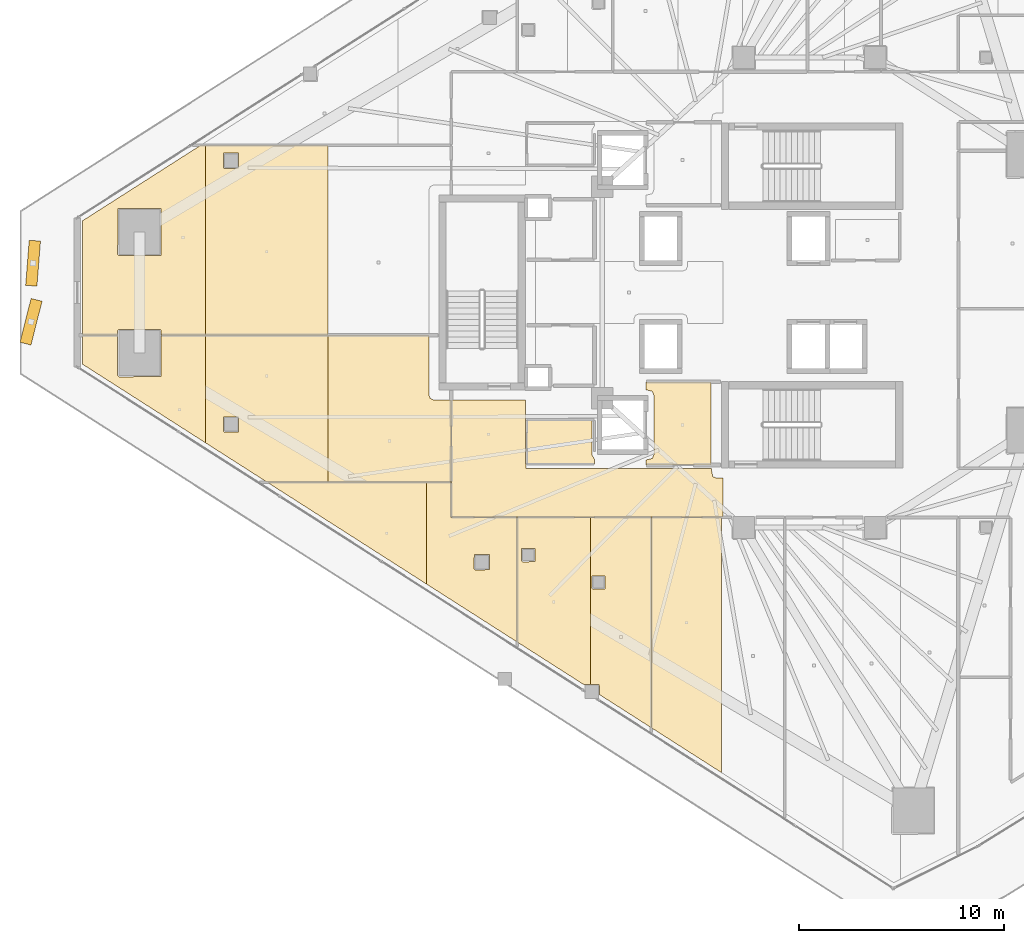
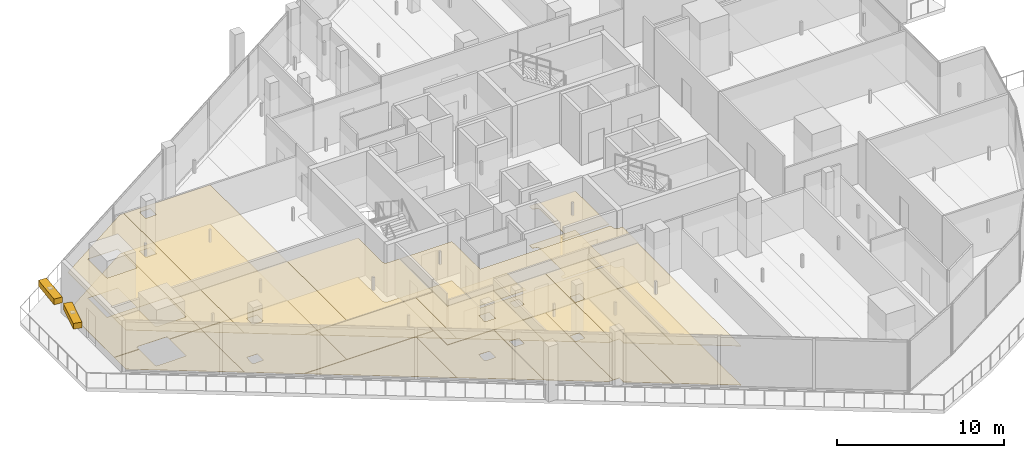
# One storey, part 29 of 35: 25 coverings, 2 shading devices.
"""IFC4 building model written with IfcOpenShell, lengths in metres."""

import ifcopenshell
import ifcopenshell.guid

model = None  # the IFC model being written
_history = None  # IfcOwnerHistory: only IFC2X3 demands one
_inside = {}  # id of a spatial element -> (the spatial element, [elements in it])
_under = {}  # id of a project, library or spatial element -> (it, [spatial elements below it])
_declared = {}  # id of a project -> (the project, [libraries it declares])
_typed = {}  # id of a type object -> (the type object, [elements of that type])
_made_of = {}  # id of a material, layer set ... -> (it, [elements and type objects made of it])


def new_model(schema):
    """Start an empty IFC model of exactly this schema.

    Asked for "IFC4X3", IfcOpenShell would pick the latest addendum, in which some entities
    have other attributes; the version numbers below select the first issue.
    IFC2X3 requires an IfcOwnerHistory on every rooted entity: one is made here for all.
    """
    global model, _history
    if schema == "IFC4X3":
        model = ifcopenshell.file(schema_version=(4, 3, 0, 0))
    else:
        model = ifcopenshell.file(schema=schema)
    _inside.clear()
    _under.clear()
    _declared.clear()
    _typed.clear()
    _made_of.clear()
    _history = None
    if model.schema == "IFC2X3":
        org = make("IfcOrganization", Name="unknown")
        user = make(
            "IfcPersonAndOrganization",
            ThePerson=make("IfcPerson", FamilyName="unknown"),
            TheOrganization=org,
        )
        app = make(
            "IfcApplication",
            ApplicationDeveloper=org,
            Version="unknown",
            ApplicationFullName="unknown",
            ApplicationIdentifier="unknown",
        )
        _history = make(
            "IfcOwnerHistory",
            OwningUser=user,
            OwningApplication=app,
            ChangeAction="ADDED",
            CreationDate=0,
        )
    return model


def make(cls, **values):
    """One entity of the class cls with the attributes given. An attribute that is None is left unset."""
    return model.create_entity(
        cls, **{name: value for name, value in values.items() if value is not None}
    )


def rooted(cls, **values):
    """An entity with a GlobalId (a new one), such as an element, a storey or a relation."""
    return make(cls, GlobalId=ifcopenshell.guid.new(), OwnerHistory=_history, **values)


def si_unit(unit_type, name, prefix=None):
    """IfcSIUnit, for example si_unit("LENGTHUNIT", "METRE", prefix="MILLI")."""
    return make("IfcSIUnit", UnitType=unit_type, Prefix=prefix, Name=name)


def assignment(units):
    """IfcUnitAssignment: the units of a project."""
    return None if units is None else make("IfcUnitAssignment", Units=units)


def point(xyz):
    """IfcCartesianPoint."""
    return None if xyz is None else make("IfcCartesianPoint", Coordinates=xyz)


def direction(xyz):
    """IfcDirection."""
    return None if xyz is None else make("IfcDirection", DirectionRatios=xyz)


def frame(location, z_axis=None, x_axis=None):
    """IfcAxis2Placement3D, a coordinate frame: its origin and axes. An axis left out is left unset."""
    return make(
        "IfcAxis2Placement3D",
        Location=point(location),
        Axis=direction(z_axis),
        RefDirection=direction(x_axis),
    )


def frame_2d(location, x_axis=None):
    """IfcAxis2Placement2D, a coordinate frame in the plane: its origin and x axis."""
    return make(
        "IfcAxis2Placement2D", Location=point(location), RefDirection=direction(x_axis)
    )


def origin():
    """The frame at (0, 0, 0) with its axes left unset."""
    return frame((0.0, 0.0, 0.0))


def origin_2d():
    """The frame at (0, 0) in the plane with its x axis left unset."""
    return frame_2d((0.0, 0.0))


def place(relative_to, where):
    """IfcLocalPlacement: puts the frame where relative to a parent placement (None: the world)."""
    return make(
        "IfcLocalPlacement", PlacementRelTo=relative_to, RelativePlacement=where
    )


def context(
    kind, dimensions, precision=None, world=None, true_north=None, identifier=None
):
    """IfcGeometricRepresentationContext, for example the 3D "Model" context."""
    return make(
        "IfcGeometricRepresentationContext",
        ContextIdentifier=identifier,
        ContextType=kind,
        CoordinateSpaceDimension=dimensions,
        Precision=precision,
        WorldCoordinateSystem=world,
        TrueNorth=true_north,
    )


def subcontext(parent, identifier, kind, view, scale=None):
    """IfcGeometricRepresentationSubContext, for example "Body" below "Model"."""
    return make(
        "IfcGeometricRepresentationSubContext",
        ContextIdentifier=identifier,
        ContextType=kind,
        ParentContext=parent,
        TargetScale=scale,
        TargetView=view,
    )


def project(units=None, contexts=None):
    """IfcProject with its units and contexts."""
    return rooted(
        "IfcProject",
        Name="project",
        RepresentationContexts=contexts,
        UnitsInContext=assignment(units),
    )


def spatial(cls, under=None, at=None, **own):
    """A site, building, storey or space (cls), placed at a placement, below another one or the project."""
    s = rooted(cls, ObjectPlacement=at, **own)
    if under is not None:
        _under.setdefault(under.id(), (under, []))[1].append(s)
    return s


def polyline(points):
    """IfcPolyline through the points."""
    return make("IfcPolyline", Points=[point(p) for p in points])


def profile(cls, at=None, kind="AREA", **sizes):
    """A parametric profile (cls). Its sizes go by their IFC names, for example OverallWidth=200.0."""
    return make(cls, ProfileType=kind, Position=at, **sizes)


def rectangle(**sizes):
    """IfcRectangleProfileDef."""
    return profile("IfcRectangleProfileDef", **sizes)


def outline(outer, holes=None, kind="AREA"):
    """IfcArbitraryClosedProfileDef: a profile drawn as a closed curve; with holes, ...WithVoids."""
    if holes is None:
        return make("IfcArbitraryClosedProfileDef", ProfileType=kind, OuterCurve=outer)
    return make(
        "IfcArbitraryProfileDefWithVoids",
        ProfileType=kind,
        OuterCurve=outer,
        InnerCurves=holes,
    )


def extrude(swept, where, along, depth):
    """IfcExtrudedAreaSolid: the profile swept, set in the frame where, extruded along a direction by depth."""
    return make(
        "IfcExtrudedAreaSolid",
        SweptArea=swept,
        Position=where,
        ExtrudedDirection=direction(along),
        Depth=depth,
    )


def shape(context_of_items, identifier, shape_type, items):
    """IfcShapeRepresentation: the items that make up one representation, for example the "Body"."""
    return make(
        "IfcShapeRepresentation",
        ContextOfItems=context_of_items,
        RepresentationIdentifier=identifier,
        RepresentationType=shape_type,
        Items=items,
    )


def material(Name=None, Category=None):
    """IfcMaterial."""
    return make("IfcMaterial", Name=Name, Category=Category)


def layer(
    of_material, thickness, ventilated=None, Name=None, Category=None, Priority=None
):
    """IfcMaterialLayer: one layer of a wall or slab, of a material (None: an air gap)."""
    return make(
        "IfcMaterialLayer",
        Material=of_material,
        LayerThickness=thickness,
        IsVentilated=ventilated,
        Name=Name,
        Category=Category,
        Priority=Priority,
    )


def layer_set(layers, Name=None):
    """IfcMaterialLayerSet."""
    return make("IfcMaterialLayerSet", MaterialLayers=layers, LayerSetName=Name)


def made_of(thing, what):
    """Note that an element or type object is made of a material, layer set ...; save() writes the relation."""
    if what is not None:
        _made_of.setdefault(what.id(), (what, []))[1].append(thing)
    return thing


def type_object(cls, material=None, **own):
    """A type object (cls), such as IfcWallType, which elements share."""
    return made_of(rooted(cls, **own), material)


def element(
    cls,
    number,
    at=None,
    inside=None,
    cuts=None,
    type_object=None,
    material=None,
    context=None,
    identifier="Body",
    shape_type=None,
    held_by="IfcProductDefinitionShape",
    body=None,
    shapes=None,
    **own,
):
    """One element of the class cls, such as IfcWall. Its Tag is "e" and its number.

    at: its placement. inside: the storey or other place that contains it. cuts: it is an
    opening in that element (IfcRelVoidsElement). A single representation is given by context,
    identifier, shape_type and body (its items); several are given by shapes. held_by: the class
    of the entity that holds the representations. save() writes the other relations.
    """
    e = rooted(cls, Tag="e%d" % number, ObjectPlacement=at, **own)
    if body is not None:
        shapes = [shape(context, identifier, shape_type, body)]
    if shapes is not None:
        e.Representation = make(held_by, Representations=shapes)
    if inside is not None:
        _inside.setdefault(inside.id(), (inside, []))[1].append(e)
    if cuts is not None:
        rooted(
            "IfcRelVoidsElement", RelatingBuildingElement=cuts, RelatedOpeningElement=e
        )
    if type_object is not None:
        _typed.setdefault(type_object.id(), (type_object, []))[1].append(e)
    return made_of(e, material)


def aggregate(whole, parts):
    """IfcRelAggregates: a whole, such as a stair, and the parts it consists of."""
    return rooted("IfcRelAggregates", RelatingObject=whole, RelatedObjects=parts)


def save(model, path):
    """Write the relations noted so far, then the file.

    IfcRelAggregates (storeys below a building ...), IfcRelContainedInSpatialStructure (elements
    in a storey), IfcRelDefinesByType, IfcRelAssociatesMaterial and IfcRelDeclares: one each for
    every whole, place, type object, material and project.
    """
    for whole, parts in _under.values():
        aggregate(whole, parts)
    for where, things in _inside.values():
        rooted(
            "IfcRelContainedInSpatialStructure",
            RelatedElements=things,
            RelatingStructure=where,
        )
    for kind, things in _typed.values():
        rooted("IfcRelDefinesByType", RelatedObjects=things, RelatingType=kind)
    for what, things in _made_of.values():
        rooted("IfcRelAssociatesMaterial", RelatedObjects=things, RelatingMaterial=what)
    for by, libraries in _declared.values():
        rooted("IfcRelDeclares", RelatingContext=by, RelatedDefinitions=libraries)
    model.write(path)


model = new_model("IFC4")

# Units and contexts
model_context = context("Model", 3, precision=1e-05, world=origin(), true_north=direction((0.0, 1.0)))
body_context = subcontext(model_context, "Body", "Model", "MODEL_VIEW")
ifc_project = project(units=[si_unit("LENGTHUNIT", "METRE"), si_unit("AREAUNIT", "SQUARE_METRE"), si_unit("VOLUMEUNIT", "CUBIC_METRE"), si_unit("PLANEANGLEUNIT", "RADIAN"), si_unit("MASSUNIT", "GRAM", prefix="KILO")], contexts=[model_context])

# Site, building, storey
site_placement = place(None, origin())
site = spatial("IfcSite", under=ifc_project, at=site_placement, CompositionType="ELEMENT")
building_placement = place(site_placement, origin())
building = spatial("IfcBuilding", under=site, at=building_placement, Name="Qorvath Tower", CompositionType="ELEMENT")
storey_placement = place(building_placement, frame((0.0, 0.0, 166.5)))
storey = spatial("IfcBuildingStorey", under=building, at=storey_placement, Name="L38", CompositionType="ELEMENT", Elevation=166.5)

# Coverings
ifc_material_1 = material(Name="Acoustic mineral fibre ceiling tile", Category="gypsum")
ifc_layer_1 = layer(ifc_material_1, 0.030029296875)
ifc_layer_set_1 = layer_set([ifc_layer_1], Name="COV-CEIL")
covering_type_1 = type_object("IfcCoveringType", Name="COV-CEIL", PredefinedType="CEILING", material=ifc_layer_set_1)
covering_1_placement = place(storey_placement, frame((0.0, 0.0, 2.85009765625)))
element("IfcCovering", 1, at=covering_1_placement, inside=storey, type_object=covering_type_1, Name="L38 Suspended Acoustic Ceiling 002", PredefinedType="CEILING", context=body_context, shape_type="SweptSolid", body=[
    extrude(outline(polyline([(-25.18994140625, -8.39501953125), (-25.18994140625, -4.35498046875), (-28.375, -4.35498046875), (-28.375, -4.739990234375), (-28.063232421875, -4.813232421875), (-27.989990234375, -4.989990234375), (-27.989990234375, -7.909912109375), (-28.063232421875, -8.086669921875), (-28.375, -8.159912109375), (-28.375, -8.39501953125), (-25.18994140625, -8.39501953125)])), origin(), (0.0, 0.0, 1.0), 0.030029296875),
])
covering_2_placement = place(storey_placement, frame((0.0, 0.0, 2.85009765625)))
element("IfcCovering", 2, at=covering_2_placement, inside=storey, type_object=covering_type_1, Name="L38 Suspended Acoustic Ceiling 008", PredefinedType="CEILING", context=body_context, shape_type="SweptSolid", body=[
    extrude(outline(polyline([(-34.22509765625, -8.580078125), (-34.251220703125, -5.239990234375), (-37.844970703125, -5.239990234375), (-37.844970703125, -10.945068359375), (-24.621826171875, -10.945068359375), (-24.621826171875, -9.0400390625), (-24.93994140625, -9.0400390625), (-25.11669921875, -8.966796875), (-25.18994140625, -8.57421875), (-34.22509765625, -8.580078125)])), origin(), (0.0, 0.0, 1.0), 0.030029296875),
])
covering_3_placement = place(storey_placement, frame((0.0, 0.0, 2.85009765625)))
element("IfcCovering", 3, at=covering_3_placement, inside=storey, type_object=covering_type_1, Name="L38 Suspended Acoustic Ceiling 021", PredefinedType="CEILING", context=body_context, shape_type="SweptSolid", body=[
    extrude(outline(polyline([(-34.64501953125, -10.962890625), (-34.64501953125, -17.0283203125), (-31.39013671875, -19.108642578125), (-31.076904296875, -19.10205078125), (-31.076904296875, -10.962890625), (-34.64501953125, -10.962890625)]), holes=[polyline([(-34.439208984375, -13.0673828125), (-34.421630859375, -12.47509765625), (-33.786865234375, -12.47509765625), (-33.786865234375, -13.10986328125), (-34.379150390625, -13.12744140625), (-34.439208984375, -13.0673828125)])]), origin(), (0.0, 0.0, 1.0), 0.030029296875),
])
covering_4_placement = place(storey_placement, frame((0.0, 0.0, 2.85009765625)))
element("IfcCovering", 4, at=covering_4_placement, inside=storey, type_object=covering_type_1, Name="L38 Suspended Acoustic Ceiling 022", PredefinedType="CEILING", context=body_context, shape_type="SweptSolid", body=[
    extrude(outline(polyline([(-31.076904296875, -10.962890625), (-31.076904296875, -19.10205078125), (-30.648681640625, -19.093017578125), (-30.631103515625, -19.59375), (-28.106689453125, -21.20703125), (-28.106689453125, -10.962890625), (-31.076904296875, -10.962890625)]), holes=[polyline([(-31.01220703125, -14.3994140625), (-30.99462890625, -13.806884765625), (-30.35986328125, -13.806884765625), (-30.35986328125, -14.441650390625), (-30.9521484375, -14.459228515625), (-31.01220703125, -14.3994140625)])]), origin(), (0.0, 0.0, 1.0), 0.030029296875),
])
covering_5_placement = place(storey_placement, frame((0.0, 0.0, 2.85009765625)))
element("IfcCovering", 5, at=covering_5_placement, inside=storey, type_object=covering_type_1, Name="L38 Suspended Acoustic Ceiling 023", PredefinedType="CEILING", context=body_context, shape_type="SweptSolid", body=[
    extrude(outline(polyline([(-24.685546875, -23.393798828125), (-24.685546875, -10.962890625), (-28.0888671875, -10.962890625), (-28.0888671875, -21.218505859375), (-24.685546875, -23.393798828125)])), origin(), (0.0, 0.0, 1.0), 0.030029296875),
])
covering_6_placement = place(storey_placement, frame((0.0, 0.0, 2.85009765625)))
element("IfcCovering", 6, at=covering_6_placement, inside=storey, type_object=covering_type_1, Name="L38 Suspended Acoustic Ceiling 042", PredefinedType="CEILING", context=body_context, shape_type="SweptSolid", body=[
    extrude(outline(polyline([(-39.0673828125, -14.201904296875), (-39.0673828125, -9.25537109375), (-46.806640625, -9.25537109375), (-39.0673828125, -14.201904296875)])), origin(), (0.0, 0.0, 1.0), 0.030029296875),
])
covering_7_placement = place(storey_placement, frame((0.0, 0.0, 2.85009765625)))
element("IfcCovering", 7, at=covering_7_placement, inside=storey, type_object=covering_type_1, Name="L38 Suspended Acoustic Ceiling 043", PredefinedType="CEILING", context=body_context, shape_type="SweptSolid", body=[
    extrude(outline(polyline([(-37.863037109375, -10.9580078125), (-37.863037109375, -9.25537109375), (-39.0673828125, -9.25537109375), (-39.0673828125, -14.201904296875), (-34.6630859375, -17.016845703125), (-34.6630859375, -10.962890625), (-37.863037109375, -10.9580078125)]), holes=[polyline([(-36.749755859375, -13.46044921875), (-36.732177734375, -12.76806640625), (-35.997314453125, -12.76806640625), (-35.997314453125, -13.5029296875), (-36.689697265625, -13.5205078125), (-36.749755859375, -13.46044921875)])]), origin(), (0.0, 0.0, 1.0), 0.030029296875),
])
covering_8_placement = place(storey_placement, frame((0.0, 0.0, 2.85009765625)))
element("IfcCovering", 8, at=covering_8_placement, inside=storey, type_object=covering_type_1, Name="L38 Suspended Acoustic Ceiling 044", PredefinedType="CEILING", context=body_context, shape_type="SweptSolid", body=[
    extrude(outline(polyline([(-54.109375, -2.0849609375), (-55.826171875, -2.0849609375), (-55.826171875, -3.490966796875), (-49.83837890625, -7.31787109375), (-49.83837890625, -2.0849609375), (-51.989501953125, -2.0849609375), (-52.007080078125, -4.09326171875), (-54.04931640625, -4.11083984375), (-54.109375, -4.05078125), (-54.109375, -2.0849609375)])), origin(), (0.0, 0.0, 1.0), 0.030029296875),
])
covering_9_placement = place(storey_placement, frame((0.0, 0.0, 2.85009765625)))
element("IfcCovering", 9, at=covering_9_placement, inside=storey, type_object=covering_type_1, Name="L38 Suspended Acoustic Ceiling 045", PredefinedType="CEILING", context=body_context, shape_type="SweptSolid", body=[
    extrude(outline(polyline([(-49.83837890625, -2.0849609375), (-49.83837890625, -7.31787109375), (-46.8349609375, -9.2373046875), (-43.8505859375, -9.2373046875), (-43.8505859375, -2.0849609375), (-49.83837890625, -2.0849609375)]), holes=[polyline([(-48.96337890625, -6.74951171875), (-48.94580078125, -6.05712890625), (-48.2109375, -6.05712890625), (-48.2109375, -6.7919921875), (-48.9033203125, -6.8095703125), (-48.96337890625, -6.74951171875)])]), origin(), (0.0, 0.0, 1.0), 0.030029296875),
])
covering_10_placement = place(storey_placement, frame((0.0, 0.0, 2.85009765625)))
element("IfcCovering", 10, at=covering_10_placement, inside=storey, type_object=covering_type_1, Name="L38 Suspended Acoustic Ceiling 046", PredefinedType="CEILING", context=body_context, shape_type="SweptSolid", body=[
    extrude(outline(polyline([(-43.8505859375, -2.0849609375), (-43.8505859375, -9.2373046875), (-37.863037109375, -9.2373046875), (-37.863037109375, -5.239990234375), (-38.699951171875, -5.239990234375), (-38.876708984375, -5.166748046875), (-38.949951171875, -4.989990234375), (-38.949951171875, -2.0849609375), (-43.8505859375, -2.0849609375)])), origin(), (0.0, 0.0, 1.0), 0.030029296875),
])
covering_11_placement = place(storey_placement, frame((0.0, 0.0, 2.85009765625)))
element("IfcCovering", 11, at=covering_11_placement, inside=storey, type_object=covering_type_1, Name="L38 Suspended Acoustic Ceiling 047", PredefinedType="CEILING", context=body_context, shape_type="SweptSolid", body=[
    extrude(outline(polyline([(-55.826171875, 3.490966796875), (-55.826171875, -2.06689453125), (-54.109375, -2.06689453125), (-54.109375, -1.850830078125), (-54.04931640625, -1.790771484375), (-52.04931640625, -1.790771484375), (-51.989501953125, -1.850830078125), (-51.989501953125, -2.06689453125), (-49.83837890625, -2.06689453125), (-49.83837890625, 7.165283203125), (-50.076904296875, 7.165283203125), (-55.826171875, 3.490966796875)]), holes=[polyline([(-54.109375, 1.850830078125), (-54.091796875, 4.09326171875), (-52.007080078125, 4.09326171875), (-52.007080078125, 1.808349609375), (-54.04931640625, 1.790771484375), (-54.109375, 1.850830078125)])]), origin(), (0.0, 0.0, 1.0), 0.030029296875),
])
covering_12_placement = place(storey_placement, frame((0.0, 0.0, 2.85009765625)))
element("IfcCovering", 12, at=covering_12_placement, inside=storey, type_object=covering_type_1, Name="L38 Suspended Acoustic Ceiling 048", PredefinedType="CEILING", context=body_context, shape_type="SweptSolid", body=[
    extrude(outline(polyline([(-49.83837890625, 7.165283203125), (-49.83837890625, -2.06689453125), (-43.8505859375, -2.06689453125), (-43.8505859375, 7.165283203125), (-49.83837890625, 7.165283203125)]), holes=[polyline([(-48.96337890625, 6.099609375), (-48.94580078125, 6.7919921875), (-48.2109375, 6.7919921875), (-48.2109375, 6.05712890625), (-48.9033203125, 6.03955078125), (-48.96337890625, 6.099609375)])]), origin(), (0.0, 0.0, 1.0), 0.030029296875),
])
ifc_material_2 = material(Name="Low-VOC modular carpet tile", Category="textile")
ifc_layer_2 = layer(ifc_material_2, 0.014892578125)
ifc_layer_set_2 = layer_set([ifc_layer_2], Name="COV-FLOOR-CPT")
covering_type_2 = type_object("IfcCoveringType", Name="COV-FLOOR-CPT", PredefinedType="FLOORING", material=ifc_layer_set_2)
covering_13_placement = place(storey_placement, origin())
element("IfcCovering", 13, at=covering_13_placement, inside=storey, type_object=covering_type_2, Name="L38 Floor Finish 021", PredefinedType="FLOORING", context=body_context, shape_type="SweptSolid", body=[
    extrude(outline(polyline([(-34.64501953125, -10.962890625), (-34.64501953125, -17.0283203125), (-31.39013671875, -19.108642578125), (-31.076904296875, -19.10205078125), (-31.076904296875, -10.962890625), (-34.64501953125, -10.962890625)]), holes=[polyline([(-34.439208984375, -13.0673828125), (-34.421630859375, -12.47509765625), (-33.786865234375, -12.47509765625), (-33.786865234375, -13.10986328125), (-34.379150390625, -13.12744140625), (-34.439208984375, -13.0673828125)])]), origin(), (0.0, 0.0, 1.0), 0.014892578125),
])
covering_14_placement = place(storey_placement, origin())
element("IfcCovering", 14, at=covering_14_placement, inside=storey, type_object=covering_type_2, Name="L38 Floor Finish 022", PredefinedType="FLOORING", context=body_context, shape_type="SweptSolid", body=[
    extrude(outline(polyline([(-31.076904296875, -10.962890625), (-31.076904296875, -19.10205078125), (-30.648681640625, -19.093017578125), (-30.631103515625, -19.59375), (-28.106689453125, -21.20703125), (-28.106689453125, -10.962890625), (-31.076904296875, -10.962890625)]), holes=[polyline([(-31.01220703125, -14.3994140625), (-30.99462890625, -13.806884765625), (-30.35986328125, -13.806884765625), (-30.35986328125, -14.441650390625), (-30.9521484375, -14.459228515625), (-31.01220703125, -14.3994140625)])]), origin(), (0.0, 0.0, 1.0), 0.014892578125),
])
covering_15_placement = place(storey_placement, origin())
element("IfcCovering", 15, at=covering_15_placement, inside=storey, type_object=covering_type_2, Name="L38 Floor Finish 023", PredefinedType="FLOORING", context=body_context, shape_type="SweptSolid", body=[
    extrude(outline(polyline([(-24.685546875, -23.393798828125), (-24.685546875, -10.962890625), (-28.0888671875, -10.962890625), (-28.0888671875, -21.218505859375), (-24.685546875, -23.393798828125)])), origin(), (0.0, 0.0, 1.0), 0.014892578125),
])
covering_16_placement = place(storey_placement, origin())
element("IfcCovering", 16, at=covering_16_placement, inside=storey, type_object=covering_type_2, Name="L38 Floor Finish 042", PredefinedType="FLOORING", context=body_context, shape_type="SweptSolid", body=[
    extrude(outline(polyline([(-39.0673828125, -14.201904296875), (-39.0673828125, -9.25537109375), (-46.806640625, -9.25537109375), (-39.0673828125, -14.201904296875)])), origin(), (0.0, 0.0, 1.0), 0.014892578125),
])
covering_17_placement = place(storey_placement, origin())
element("IfcCovering", 17, at=covering_17_placement, inside=storey, type_object=covering_type_2, Name="L38 Floor Finish 043", PredefinedType="FLOORING", context=body_context, shape_type="SweptSolid", body=[
    extrude(outline(polyline([(-37.863037109375, -10.9580078125), (-37.863037109375, -9.25537109375), (-39.0673828125, -9.25537109375), (-39.0673828125, -14.201904296875), (-34.6630859375, -17.016845703125), (-34.6630859375, -10.962890625), (-37.863037109375, -10.9580078125)]), holes=[polyline([(-36.749755859375, -13.46044921875), (-36.732177734375, -12.76806640625), (-35.997314453125, -12.76806640625), (-35.997314453125, -13.5029296875), (-36.689697265625, -13.5205078125), (-36.749755859375, -13.46044921875)])]), origin(), (0.0, 0.0, 1.0), 0.014892578125),
])
covering_18_placement = place(storey_placement, origin())
element("IfcCovering", 18, at=covering_18_placement, inside=storey, type_object=covering_type_2, Name="L38 Floor Finish 044", PredefinedType="FLOORING", context=body_context, shape_type="SweptSolid", body=[
    extrude(outline(polyline([(-54.109375, -2.0849609375), (-55.826171875, -2.0849609375), (-55.826171875, -3.490966796875), (-49.83837890625, -7.31787109375), (-49.83837890625, -2.0849609375), (-51.989501953125, -2.0849609375), (-52.007080078125, -4.09326171875), (-54.04931640625, -4.11083984375), (-54.109375, -4.05078125), (-54.109375, -2.0849609375)])), origin(), (0.0, 0.0, 1.0), 0.014892578125),
])
covering_19_placement = place(storey_placement, origin())
element("IfcCovering", 19, at=covering_19_placement, inside=storey, type_object=covering_type_2, Name="L38 Floor Finish 045", PredefinedType="FLOORING", context=body_context, shape_type="SweptSolid", body=[
    extrude(outline(polyline([(-49.83837890625, -2.0849609375), (-49.83837890625, -7.31787109375), (-46.8349609375, -9.2373046875), (-43.8505859375, -9.2373046875), (-43.8505859375, -2.0849609375), (-49.83837890625, -2.0849609375)]), holes=[polyline([(-48.96337890625, -6.74951171875), (-48.94580078125, -6.05712890625), (-48.2109375, -6.05712890625), (-48.2109375, -6.7919921875), (-48.9033203125, -6.8095703125), (-48.96337890625, -6.74951171875)])]), origin(), (0.0, 0.0, 1.0), 0.014892578125),
])
covering_20_placement = place(storey_placement, origin())
element("IfcCovering", 20, at=covering_20_placement, inside=storey, type_object=covering_type_2, Name="L38 Floor Finish 046", PredefinedType="FLOORING", context=body_context, shape_type="SweptSolid", body=[
    extrude(outline(polyline([(-43.8505859375, -2.0849609375), (-43.8505859375, -9.2373046875), (-37.863037109375, -9.2373046875), (-37.863037109375, -5.239990234375), (-38.699951171875, -5.239990234375), (-38.876708984375, -5.166748046875), (-38.949951171875, -4.989990234375), (-38.949951171875, -2.0849609375), (-43.8505859375, -2.0849609375)])), origin(), (0.0, 0.0, 1.0), 0.014892578125),
])
covering_21_placement = place(storey_placement, origin())
element("IfcCovering", 21, at=covering_21_placement, inside=storey, type_object=covering_type_2, Name="L38 Floor Finish 047", PredefinedType="FLOORING", context=body_context, shape_type="SweptSolid", body=[
    extrude(outline(polyline([(-55.826171875, 3.490966796875), (-55.826171875, -2.06689453125), (-54.109375, -2.06689453125), (-54.109375, -1.850830078125), (-54.04931640625, -1.790771484375), (-52.04931640625, -1.790771484375), (-51.989501953125, -1.850830078125), (-51.989501953125, -2.06689453125), (-49.83837890625, -2.06689453125), (-49.83837890625, 7.165283203125), (-50.076904296875, 7.165283203125), (-55.826171875, 3.490966796875)]), holes=[polyline([(-54.109375, 1.850830078125), (-54.091796875, 4.09326171875), (-52.007080078125, 4.09326171875), (-52.007080078125, 1.808349609375), (-54.04931640625, 1.790771484375), (-54.109375, 1.850830078125)])]), origin(), (0.0, 0.0, 1.0), 0.014892578125),
])
covering_22_placement = place(storey_placement, origin())
element("IfcCovering", 22, at=covering_22_placement, inside=storey, type_object=covering_type_2, Name="L38 Floor Finish 048", PredefinedType="FLOORING", context=body_context, shape_type="SweptSolid", body=[
    extrude(outline(polyline([(-49.83837890625, 7.165283203125), (-49.83837890625, -2.06689453125), (-43.8505859375, -2.06689453125), (-43.8505859375, 7.165283203125), (-49.83837890625, 7.165283203125)]), holes=[polyline([(-48.96337890625, 6.099609375), (-48.94580078125, 6.7919921875), (-48.2109375, 6.7919921875), (-48.2109375, 6.05712890625), (-48.9033203125, 6.03955078125), (-48.96337890625, 6.099609375)])]), origin(), (0.0, 0.0, 1.0), 0.014892578125),
])
ifc_material_3 = material(Name="Polished epoxy terrazzo flooring", Category="concrete")
ifc_layer_3 = layer(ifc_material_3, 0.02001953125)
ifc_layer_set_3 = layer_set([ifc_layer_3], Name="COV-FLOOR-TRZ")
covering_type_3 = type_object("IfcCoveringType", Name="COV-FLOOR-TRZ", PredefinedType="FLOORING", material=ifc_layer_set_3)
covering_23_placement = place(storey_placement, origin())
element("IfcCovering", 23, at=covering_23_placement, inside=storey, type_object=covering_type_3, Name="L38 Floor Finish 002", PredefinedType="FLOORING", context=body_context, shape_type="SweptSolid", body=[
    extrude(outline(polyline([(-25.18994140625, -8.39501953125), (-25.18994140625, -4.35498046875), (-28.375, -4.35498046875), (-28.375, -4.739990234375), (-28.063232421875, -4.813232421875), (-27.989990234375, -4.989990234375), (-27.989990234375, -7.909912109375), (-28.063232421875, -8.086669921875), (-28.375, -8.159912109375), (-28.375, -8.39501953125), (-25.18994140625, -8.39501953125)])), origin(), (0.0, 0.0, 1.0), 0.014892578125),
])
covering_24_placement = place(storey_placement, origin())
element("IfcCovering", 24, at=covering_24_placement, inside=storey, type_object=covering_type_3, Name="L38 Floor Finish 006", PredefinedType="FLOORING", context=body_context, shape_type="SweptSolid", body=[
    extrude(outline(polyline([(-30.885009765625, -8.344970703125), (-30.885009765625, -8.108154296875), (-31.010009765625, -7.909912109375), (-31.010009765625, -6.205078125), (-34.175048828125, -6.205078125), (-34.175048828125, -8.344970703125), (-30.885009765625, -8.344970703125)])), origin(), (0.0, 0.0, 1.0), 0.014892578125),
])
covering_25_placement = place(storey_placement, origin())
element("IfcCovering", 25, at=covering_25_placement, inside=storey, type_object=covering_type_3, Name="L38 Floor Finish 008", PredefinedType="FLOORING", context=body_context, shape_type="SweptSolid", body=[
    extrude(outline(polyline([(-34.22509765625, -8.580078125), (-34.251220703125, -5.239990234375), (-37.844970703125, -5.239990234375), (-37.844970703125, -10.945068359375), (-24.621826171875, -10.945068359375), (-24.621826171875, -9.0400390625), (-24.93994140625, -9.0400390625), (-25.11669921875, -8.966796875), (-25.18994140625, -8.57421875), (-34.22509765625, -8.580078125)])), origin(), (0.0, 0.0, 1.0), 0.014892578125),
])

# Shading devices
ifc_material_4 = material(Name="Anodised bronze-champagne aluminium", Category="aluminium")
shading_device_type = type_object("IfcShadingDeviceType", Name="SD-LOUVRE", PredefinedType="JALOUSIE", material=ifc_material_4)
for number, where, z_axis, x_axis, name in (
    (26, (-58.231689453125, 1.427001953125, 3.360107421875), (0.0, 0.0, 1.0), (-0.078841878711, -0.996887134114, 0.0), "Sinusoidal Wave Louvre Blade L38-01"),
    (27, (-58.331298828125, -1.427001953125, 3.360107421875), (0.0, 0.0, 1.0), (-0.24460344873, -0.969623201491, 0.0), "Sinusoidal Wave Louvre Blade L38-02"),
):
    element("IfcShadingDevice", number, at=place(storey_placement, frame(where, z_axis=z_axis, x_axis=x_axis)), inside=storey, type_object=shading_device_type, Name=name, PredefinedType="NOTDEFINED", context=body_context, shape_type="SweptSolid", body=[
        extrude(rectangle(XDim=2.199951171875, YDim=0.550048828125, at=origin_2d()), origin(), (0.0, 0.0, 1.0), 0.419921875),
    ])

save(model, "model.ifc")
